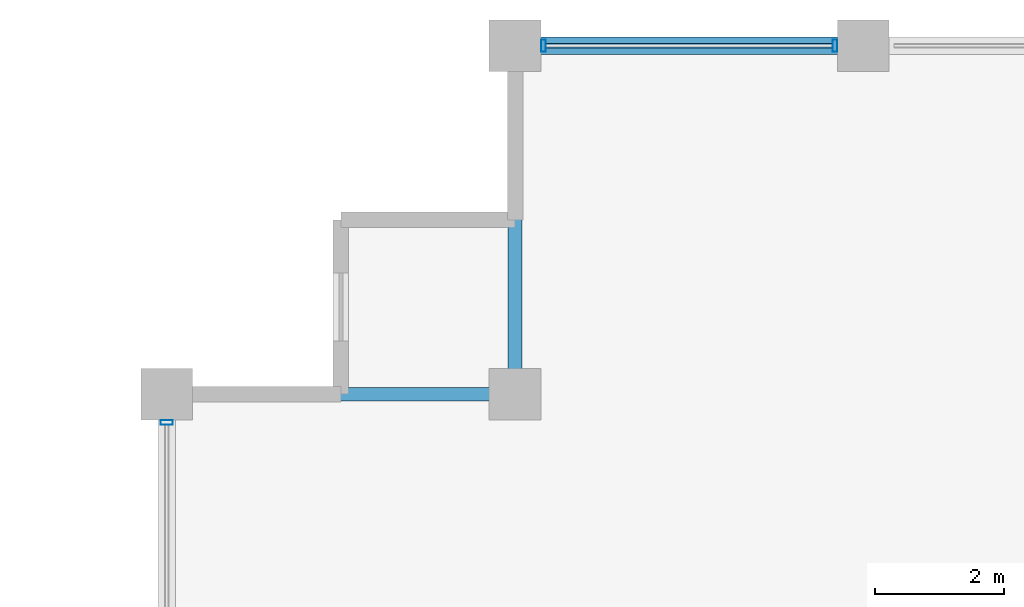
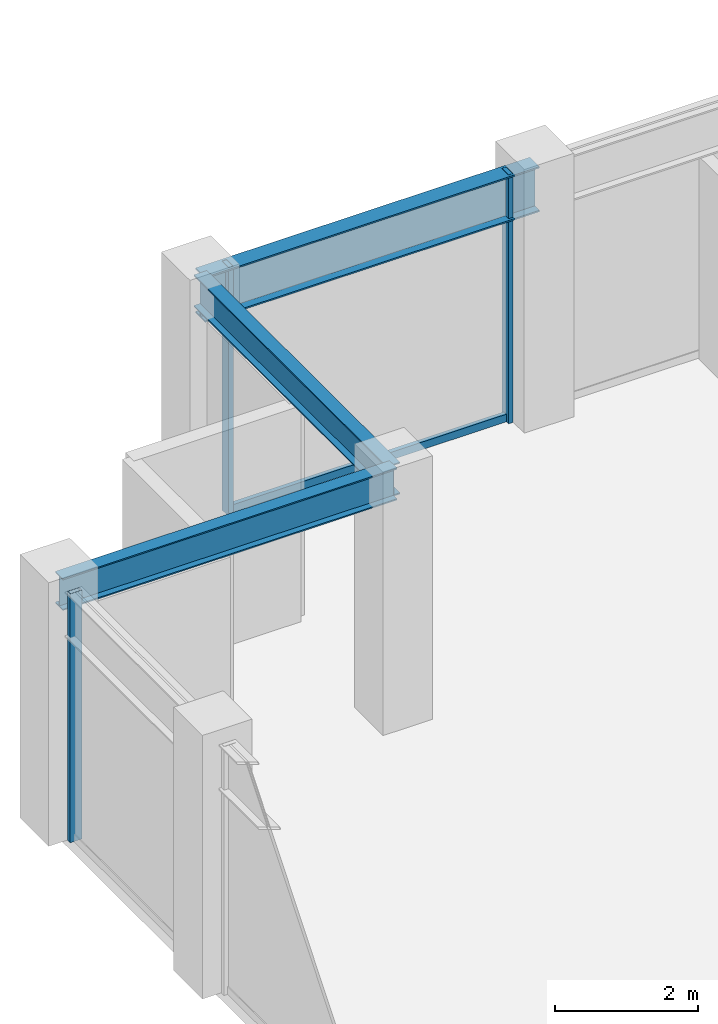
# One storey, part 16 of 28: 4 members, 3 beams, 2 elements without a shape of their own.
"""IFC4 building model written with IfcOpenShell, lengths in metres."""

from ifc_helpers import new_model, si_unit, direction, frame, origin, origin_2d, place, context, subcontext, project, spatial, hollow_rectangle, i_section, extrude, material, layer, layer_set, material_profile, profile_set, type_object, element, aggregate, save


model = new_model("IFC4")

# Units and contexts
model_context = context("Model", 3, precision=1e-05, world=origin(), true_north=direction((0.0, 1.0)))
body_context = subcontext(model_context, "Body", "Model", "MODEL_VIEW")
ifc_project = project(units=[si_unit("LENGTHUNIT", "METRE"), si_unit("AREAUNIT", "SQUARE_METRE"), si_unit("VOLUMEUNIT", "CUBIC_METRE"), si_unit("PLANEANGLEUNIT", "RADIAN"), si_unit("MASSUNIT", "GRAM", prefix="KILO")], contexts=[model_context])

# Site, building, storey
site_placement = place(None, origin())
site = spatial("IfcSite", under=ifc_project, at=site_placement, CompositionType="ELEMENT")
building_placement = place(site_placement, origin())
building = spatial("IfcBuilding", under=site, at=building_placement, Name="Surkhivell Harbour Commons", CompositionType="ELEMENT")
storey_placement = place(building_placement, frame((0.0, 0.0, 249.75)))
storey = spatial("IfcBuildingStorey", under=building, at=storey_placement, Name="L65", CompositionType="ELEMENT", Elevation=249.75)

# Beams
ifc_material_1 = material(Name="Steel S355", Category="steel")
ifc_material_profile_1 = material_profile(ifc_material_1, i_section(OverallWidth=0.2119140625, OverallDepth=0.5439453125, WebThickness=0.0126953125, FlangeThickness=0.021240234375, at=origin_2d()), Name="UB533x210x122")
ifc_profile_set_1 = profile_set([ifc_material_profile_1], Name="Steel S355")
beam_type_1 = type_object("IfcBeamType", Name="BM-GRD-533A", PredefinedType="BEAM", material=ifc_profile_set_1)
for number, where, z_axis, x_axis, name in (
    (1, (-27.0, 20.5, 3.97802734375), (1.0, 0.0, 0.0), (0.0, 1.0, 0.0), "L65 Floor Girder (-27.0,20.5)"),
    (2, (-21.60009765625, 20.5, 3.97802734375), (0.0, 1.0, 0.0), (-1.0, 0.0, 0.0), "L65 Floor Girder (-21.6,20.5)"),
):
    element("IfcBeam", number, at=place(storey_placement, frame(where, z_axis=z_axis, x_axis=x_axis)), inside=storey, type_object=beam_type_1, Name=name, PredefinedType="BEAM", context=body_context, shape_type="SweptSolid", body=[
        extrude(i_section(OverallWidth=0.2119140625, OverallDepth=0.5439453125, WebThickness=0.0126953125, FlangeThickness=0.021240234375, at=origin_2d()), origin(), (0.0, 0.0, 1.0), 5.39990234375),
    ])
ifc_material_profile_2 = material_profile(ifc_material_1, i_section(OverallWidth=0.26806640625, OverallDepth=0.77001953125, WebThickness=0.015625, FlangeThickness=0.025390625, at=origin_2d()), Name="UB762x267x197")
ifc_profile_set_2 = profile_set([ifc_material_profile_2], Name="Steel S355")
beam_type_2 = type_object("IfcBeamType", Name="BM-SPN-762", PredefinedType="SPANDREL", material=ifc_profile_set_2)
beam_placement = place(storey_placement, frame((-21.60009765625, 25.89990234375, 3.864990234375), z_axis=(1.0, 0.0, 0.0), x_axis=(0.0, 1.0, 0.0)))
element("IfcBeam", 3, at=beam_placement, inside=storey, type_object=beam_type_2, Name="L65 Tube Spandrel (-21.6,25.9)", PredefinedType="SPANDREL", context=body_context, shape_type="SweptSolid", body=[
    extrude(i_section(OverallWidth=0.26806640625, OverallDepth=0.77001953125, WebThickness=0.015625, FlangeThickness=0.025390625, at=origin_2d()), origin(), (0.0, 0.0, 1.0), 5.400146484375),
])

# Curtain wall, members
ifc_material_2 = material(Name="Anodised pale-metal aluminium and insulated glazing", Category="aluminium")
ifc_layer = layer(ifc_material_2, 0.18994140625)
ifc_layer_set = layer_set([ifc_layer], Name="Anodised pale-metal aluminium and insulated glazing")
curtain_wall_type = type_object("IfcCurtainWallType", Name="CW-SYS-Z3", PredefinedType="NOTDEFINED", material=ifc_layer_set)
curtain_wall_1_placement = place(storey_placement, origin())
curtain_wall_1 = element("IfcCurtainWall", 4, at=curtain_wall_1_placement, inside=storey, type_object=curtain_wall_type, Name="L65 Curtain Wall CW-L65-E07S2", PredefinedType="NOTDEFINED")
ifc_material_3 = material(Name="Anodised pale-metal aluminium alloy 6063-T6", Category="aluminium")
ifc_material_profile_3 = material_profile(ifc_material_3, hollow_rectangle(XDim=0.074951171875, YDim=0.18994140625, WallThickness=0.00390625, at=origin_2d()), Name="ALU-MULL-75x190")
ifc_profile_set_3 = profile_set([ifc_material_profile_3], Name="Anodised pale-metal aluminium alloy 6063-T6")
member_type_1 = type_object("IfcMemberType", Name="CWM-190", PredefinedType="MULLION", material=ifc_profile_set_3)
member_1_placement = place(storey_placement, frame((-16.639404296875, 25.89990234375, 0.0), z_axis=(0.0, 0.0, 1.0), x_axis=(-1.0, 0.0, 0.0)))
member_1 = element("IfcMember", 5, at=member_1_placement, type_object=member_type_1, Name="CW-Z3 mullion 3", PredefinedType="MULLION", context=body_context, shape_type="SweptSolid", body=[
    extrude(hollow_rectangle(XDim=0.074951171875, YDim=0.18994140625, WallThickness=0.00390625, at=origin_2d()), origin(), (0.0, 0.0, 1.0), 4.25),
])
member_2_placement = place(storey_placement, frame((-21.160400390625, 25.89990234375, 0.0), z_axis=(0.0, 0.0, 1.0), x_axis=(-1.0, 0.0, 0.0)))
member_2 = element("IfcMember", 6, at=member_2_placement, type_object=member_type_1, Name="CW-Z3 mullion 4", PredefinedType="MULLION", context=body_context, shape_type="SweptSolid", body=[
    extrude(hollow_rectangle(XDim=0.074951171875, YDim=0.18994140625, WallThickness=0.00390625, at=origin_2d()), origin(), (0.0, 0.0, 1.0), 4.25),
])

# Curtain wall, member
curtain_wall_2_placement = place(storey_placement, origin())
curtain_wall_2 = element("IfcCurtainWall", 7, at=curtain_wall_2_placement, inside=storey, type_object=curtain_wall_type, Name="L65 Curtain Wall CW-L65-E12S1", PredefinedType="NOTDEFINED")
member_3_placement = place(storey_placement, frame((-27.0, 20.060546875, 0.0), z_axis=(0.0, 0.0, 1.0), x_axis=(0.0, -1.0, 0.0)))
member_3 = element("IfcMember", 8, at=member_3_placement, type_object=member_type_1, Name="CW-Z3 mullion 1", PredefinedType="MULLION", context=body_context, shape_type="SweptSolid", body=[
    extrude(hollow_rectangle(XDim=0.074951171875, YDim=0.18994140625, WallThickness=0.00390625, at=origin_2d()), origin(), (0.0, 0.0, 1.0), 4.25),
])
aggregate(curtain_wall_2, [member_3])

# Member
ifc_material_4 = material(Name="Champagne anodised aluminium alloy 6063-T6", Category="aluminium")
ifc_material_profile_4 = material_profile(ifc_material_4, hollow_rectangle(XDim=0.070068359375, YDim=0.1298828125, WallThickness=0.00341796875, at=origin_2d()), Name="ALU-TRAN-70x130")
ifc_profile_set_4 = profile_set([ifc_material_profile_4], Name="Champagne anodised aluminium alloy 6063-T6")
member_type_2 = type_object("IfcMemberType", Name="CWT-130", PredefinedType="USERDEFINED", material=ifc_profile_set_4)
member_4_placement = place(storey_placement, frame((-16.677001953125, 25.89990234375, 0.06494140625), z_axis=(-1.0, 0.0, 0.0), x_axis=(0.0, -1.0, 0.0)))
member_4 = element("IfcMember", 9, at=member_4_placement, type_object=member_type_2, Name="CW-Z3 transom 3.1", ObjectType="TRANSOM", PredefinedType="USERDEFINED", context=body_context, shape_type="SweptSolid", body=[
    extrude(hollow_rectangle(XDim=0.070068359375, YDim=0.1298828125, WallThickness=0.00341796875, at=origin_2d()), origin(), (0.0, 0.0, 1.0), 4.446044921875),
])

aggregate(curtain_wall_1, [member_1, member_2, member_4])

save(model, "model.ifc")
